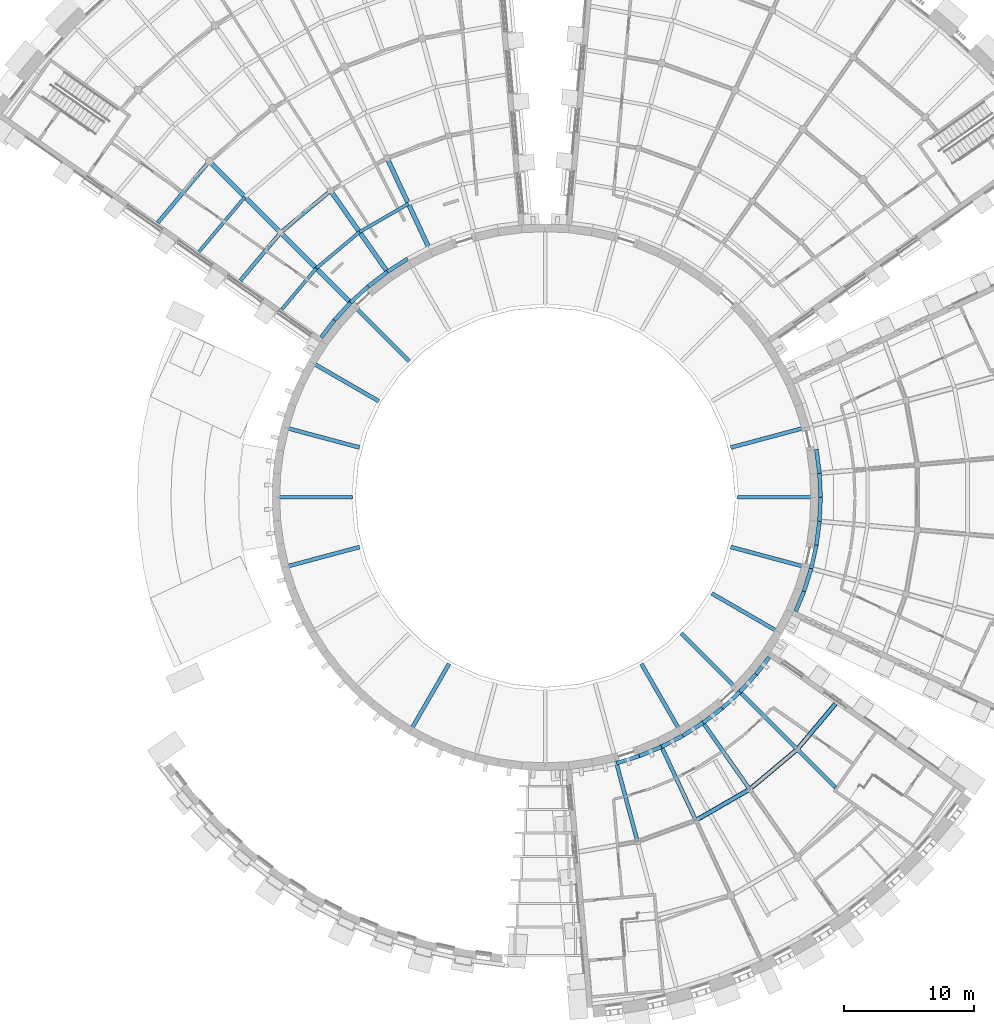
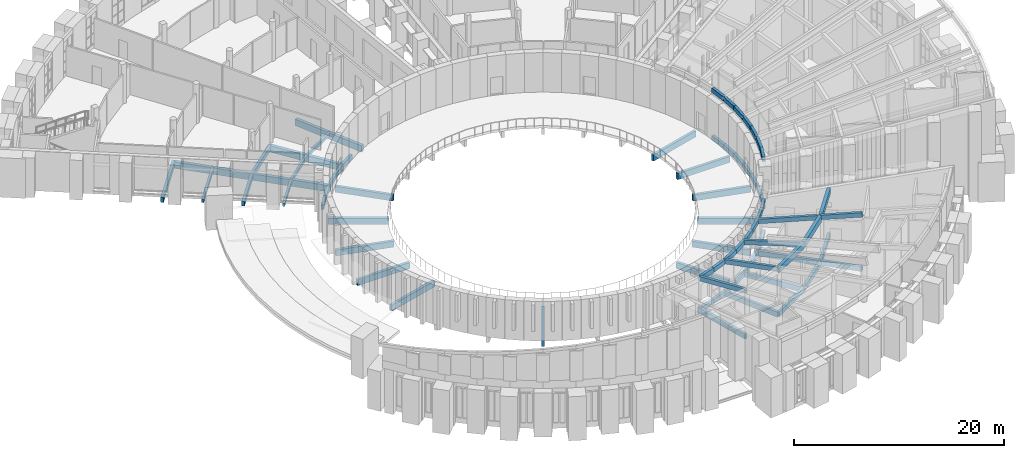
# One storey, part 4 of 50: 74 beams.
"""IFC4 building model written with IfcOpenShell, lengths in metres."""

from ifc_helpers import new_model, si_unit, direction, frame, origin, origin_2d, place, context, subcontext, project, spatial, rectangle, extrude, material, material_profile, profile_set, type_object, element, save


model = new_model("IFC4")

# Units and contexts
model_context = context("Model", 3, precision=1e-05, world=origin(), true_north=direction((0.0, 1.0)))
body_context = subcontext(model_context, "Body", "Model", "MODEL_VIEW")
ifc_project = project(units=[si_unit("LENGTHUNIT", "METRE"), si_unit("AREAUNIT", "SQUARE_METRE"), si_unit("VOLUMEUNIT", "CUBIC_METRE"), si_unit("PLANEANGLEUNIT", "RADIAN"), si_unit("MASSUNIT", "GRAM", prefix="KILO")], contexts=[model_context])

# Site, building, storey
site_placement = place(None, origin())
site = spatial("IfcSite", under=ifc_project, at=site_placement, CompositionType="ELEMENT")
building_placement = place(site_placement, origin())
building = spatial("IfcBuilding", under=site, at=building_placement, Name="Volute Hill Aquarium", CompositionType="ELEMENT")
storey_placement = place(building_placement, frame((0.0, 0.0, 9.199951171875)))
storey = spatial("IfcBuildingStorey", under=building, at=storey_placement, Name="L03", CompositionType="ELEMENT", Elevation=9.199951171875)

# Beams
ifc_material_1 = material(Name="Concrete C35/45", Category="concrete")
ifc_material_profile_1 = material_profile(ifc_material_1, rectangle(XDim=0.300048828125, YDim=0.550048828125, at=origin_2d()), Name="RC beam 300x550")
ifc_profile_set_1 = profile_set([ifc_material_profile_1], Name="Concrete C35/45")
beam_type_1 = type_object("IfcBeamType", Name="Beam 300x550 C35/45", PredefinedType="BEAM", material=ifc_profile_set_1)
beam_1_placement = place(storey_placement, frame((19.36279296875, -19.36279296875, -0.544921875), z_axis=(0.707106781187, -0.707106781187, 0.0), x_axis=(0.707106781187, 0.707106781187, 0.0)))
element("IfcBeam", 1, at=beam_1_placement, inside=storey, type_object=beam_type_1, Name="bm/S3/L03/rad4.11", PredefinedType="BEAM", context=body_context, shape_type="SweptSolid", body=[
    extrude(rectangle(XDim=0.300048828125, YDim=0.550048828125, at=origin_2d()), origin(), (0.0, 0.0, 1.0), 4.1455078125),
])
beam_2_placement = place(storey_placement, frame((11.57275390625, -24.817626953125, -0.544921875), z_axis=(0.86602800421, 0.499995495904, 0.0), x_axis=(-0.499995495904, 0.86602800421, 0.0)))
element("IfcBeam", 2, at=beam_2_placement, inside=storey, type_object=beam_type_1, Name="bm/S3/L03/ring1.15", PredefinedType="BEAM", context=body_context, shape_type="SweptSolid", body=[
    extrude(rectangle(XDim=0.300048828125, YDim=0.550048828125, at=origin_2d()), origin(), (0.0, 0.0, 1.0), 4.77294921875),
])
beam_3_placement = place(storey_placement, frame((15.706298828125, -22.43115234375, -0.544921875), z_axis=(0.766024173382, 0.642811765445, 0.0), x_axis=(-0.642811765445, 0.766024173382, 0.0)))
element("IfcBeam", 3, at=beam_3_placement, inside=storey, type_object=beam_type_1, Name="bm/S3/L03/ring1.16", PredefinedType="BEAM", context=body_context, shape_type="SweptSolid", body=[
    extrude(rectangle(XDim=0.300048828125, YDim=0.550048828125, at=origin_2d()), origin(), (0.0, 0.0, 1.0), 4.7734375),
])
beam_4_placement = place(storey_placement, frame((19.36279296875, -19.36279296875, -0.544921875), z_axis=(0.642801320395, 0.76603293826, 0.0), x_axis=(-0.76603293826, 0.642801320395, 0.0)))
element("IfcBeam", 4, at=beam_4_placement, inside=storey, type_object=beam_type_1, Name="bm/S3/L03/ring1.17", PredefinedType="BEAM", context=body_context, shape_type="SweptSolid", body=[
    extrude(rectangle(XDim=0.300048828125, YDim=0.550048828125, at=origin_2d()), origin(), (0.0, 0.0, 1.0), 4.572509765625),
])
beam_5_placement = place(storey_placement, frame((-16.490234375, 23.550537109375, -0.594970703125), z_axis=(-0.766064633548, -0.642763546902, 0.0), x_axis=(0.642763546902, -0.766064633548, 0.0)))
element("IfcBeam", 5, at=beam_5_placement, inside=storey, type_object=beam_type_1, Name="bm/S6/L03/ring1.20", PredefinedType="BEAM", context=body_context, shape_type="SweptSolid", body=[
    extrude(rectangle(XDim=0.300048828125, YDim=0.550048828125, at=origin_2d()), origin(), (0.0, 0.0, 1.0), 5.011474609375),
])
beam_6_placement = place(storey_placement, frame((-20.329345703125, 20.329345703125, -0.594970703125), z_axis=(-0.642751605204, -0.766074653025, 0.0), x_axis=(0.766074653025, -0.642751605204, 0.0)))
element("IfcBeam", 6, at=beam_6_placement, inside=storey, type_object=beam_type_1, Name="bm/S6/L03/ring1.21", PredefinedType="BEAM", context=body_context, shape_type="SweptSolid", body=[
    extrude(rectangle(XDim=0.300048828125, YDim=0.550048828125, at=origin_2d()), origin(), (0.0, 0.0, 1.0), 4.810546875),
])
ifc_material_2 = material(Name="Concrete C35/45", Category="concrete")
ifc_material_profile_2 = material_profile(ifc_material_2, rectangle(XDim=0.300048828125, YDim=0.60009765625, at=origin_2d()), Name="RC beam 300x600")
ifc_profile_set_2 = profile_set([ifc_material_profile_2], Name="Concrete C35/45")
beam_type_2 = type_object("IfcBeamType", Name="Beam 300x600 C35/45", PredefinedType="BEAM", material=ifc_profile_set_2)
for number, where, z_axis, x_axis, name in (
    (7, (5.435302734375, -20.284423828125, -0.570068359375), (0.258817016244, -0.965926369918, 0.0), (0.965926369918, 0.258817016244, 0.0), "bm/S3/L03/rad1.1"),
    (8, (8.875, -19.032470703125, -0.570068359375), (0.422630002843, -0.906302311978, 0.0), (0.906302311978, 0.422630002843, 0.0), "bm/S3/L03/rad2.4"),
    (9, (12.045166015625, -17.2021484375, -0.570068359375), (0.573549615778, -0.819170823602, 0.0), (0.819170823602, 0.573549615778, 0.0), "bm/S3/L03/rad3.7"),
    (10, (14.84912109375, -14.84912109375, -0.570068359375), (0.707106781187, -0.707106781187, 0.0), (0.707106781187, 0.707106781187, 0.0), "bm/S3/L03/rad4.10"),
):
    element("IfcBeam", number, at=place(storey_placement, frame(where, z_axis=z_axis, x_axis=x_axis)), inside=storey, type_object=beam_type_2, Name=name, PredefinedType="BEAM", context=body_context, shape_type="SweptSolid", body=[
        extrude(rectangle(XDim=0.300048828125, YDim=0.60009765625, at=origin_2d()), origin(), (0.0, 0.0, 1.0), 6.38330078125),
    ])
beam_7_placement = place(storey_placement, frame((-25.809326171875, 25.809326171875, -0.619873046875), z_axis=(-0.642803579535, -0.766031042541, 0.0), x_axis=(0.766031042541, -0.642803579535, 0.0)))
element("IfcBeam", 11, at=beam_7_placement, inside=storey, type_object=beam_type_2, Name="bm/S6/L03/ring2.26", PredefinedType="BEAM", context=body_context, shape_type="SweptSolid", body=[
    extrude(rectangle(XDim=0.300048828125, YDim=0.60009765625, at=origin_2d()), origin(), (0.0, 0.0, 1.0), 6.16162109375),
])
ifc_material_3 = material(Name="Concrete C35/45", Category="concrete")
ifc_material_profile_3 = material_profile(ifc_material_3, rectangle(XDim=0.35009765625, YDim=0.699951171875, at=origin_2d()), Name="RC beam 350x700")
ifc_profile_set_3 = profile_set([ifc_material_profile_3], Name="Concrete C35/45")
beam_type_3 = type_object("IfcBeamType", Name="Beam 350x700 C35/45", PredefinedType="BEAM", material=ifc_profile_set_3)
beam_8_placement = place(storey_placement, frame((11.57275390625, -24.817626953125, 4.6328125), z_axis=(0.86602800421, 0.499995495904, 0.0), x_axis=(-0.499995495904, 0.86602800421, 0.0)))
element("IfcBeam", 12, at=beam_8_placement, inside=storey, type_object=beam_type_3, Name="rb/S3/L03/ring1.15", PredefinedType="BEAM", context=body_context, shape_type="SweptSolid", body=[
    extrude(rectangle(XDim=0.35009765625, YDim=0.699951171875, at=origin_2d()), origin(), (0.0, 0.0, 1.0), 4.77294921875),
])
beam_9_placement = place(storey_placement, frame((15.706298828125, -22.43115234375, 4.6328125), z_axis=(0.766024173382, 0.642811765445, 0.0), x_axis=(-0.642811765445, 0.766024173382, 0.0)))
element("IfcBeam", 13, at=beam_9_placement, inside=storey, type_object=beam_type_3, Name="rb/S3/L03/ring1.16", PredefinedType="BEAM", context=body_context, shape_type="SweptSolid", body=[
    extrude(rectangle(XDim=0.35009765625, YDim=0.699951171875, at=origin_2d()), origin(), (0.0, 0.0, 1.0), 4.7734375),
])
beam_10_placement = place(storey_placement, frame((19.36279296875, -19.36279296875, 4.6328125), z_axis=(0.642801320395, 0.76603293826, 0.0), x_axis=(-0.76603293826, 0.642801320395, 0.0)))
element("IfcBeam", 14, at=beam_10_placement, inside=storey, type_object=beam_type_3, Name="rb/S3/L03/ring1.17", PredefinedType="BEAM", context=body_context, shape_type="SweptSolid", body=[
    extrude(rectangle(XDim=0.35009765625, YDim=0.699951171875, at=origin_2d()), origin(), (0.0, 0.0, 1.0), 4.572509765625),
])
ifc_material_4 = material(Name="Concrete C35/45", Category="concrete")
ifc_material_profile_4 = material_profile(ifc_material_4, rectangle(XDim=0.35009765625, YDim=0.75, at=origin_2d()), Name="RC beam 350x750")
ifc_profile_set_4 = profile_set([ifc_material_profile_4], Name="Concrete C35/45")
beam_type_4 = type_object("IfcBeamType", Name="Beam 350x750 C35/45", PredefinedType="BEAM", material=ifc_profile_set_4)
for number, where, z_axis, x_axis, name in (
    (15, (-8.875, 19.032470703125, -0.695068359375), (-0.422626766283, 0.906303821255, 0.0), (-0.906303821255, -0.422626766283, 0.0), "bm/S6/L03/rad2.5"),
    (16, (-12.045166015625, 17.2021484375, -0.695068359375), (-0.573565938589, 0.819159394801, 0.0), (-0.819159394801, -0.573565938589, 0.0), "bm/S6/L03/rad3.9"),
):
    element("IfcBeam", number, at=place(storey_placement, frame(where, z_axis=z_axis, x_axis=x_axis)), inside=storey, type_object=beam_type_4, Name=name, PredefinedType="BEAM", context=body_context, shape_type="SweptSolid", body=[
        extrude(rectangle(XDim=0.35009765625, YDim=0.75, at=origin_2d()), origin(), (0.0, 0.0, 1.0), 7.75),
    ])
beam_11_placement = place(storey_placement, frame((-14.84912109375, 14.84912109375, -0.695068359375), z_axis=(-0.707106781187, 0.707106781187, 0.0), x_axis=(-0.707106781187, -0.707106781187, 0.0)))
element("IfcBeam", 17, at=beam_11_placement, inside=storey, type_object=beam_type_4, Name="bm/S6/L03/rad4.13", PredefinedType="BEAM", context=body_context, shape_type="SweptSolid", body=[
    extrude(rectangle(XDim=0.35009765625, YDim=0.75, at=origin_2d()), origin(), (0.0, 0.0, 1.0), 7.750244140625),
])
beam_12_placement = place(storey_placement, frame((-20.329345703125, 20.329345703125, -0.695068359375), z_axis=(-0.707106781187, 0.707106781187, 0.0), x_axis=(-0.707106781187, -0.707106781187, 0.0)))
element("IfcBeam", 18, at=beam_12_placement, inside=storey, type_object=beam_type_4, Name="bm/S6/L03/rad4.14", PredefinedType="BEAM", context=body_context, shape_type="SweptSolid", body=[
    extrude(rectangle(XDim=0.35009765625, YDim=0.75, at=origin_2d()), origin(), (0.0, 0.0, 1.0), 7.749755859375),
])
ifc_material_5 = material(Name="Concrete C35/45", Category="concrete")
ifc_material_profile_5 = material_profile(ifc_material_5, rectangle(XDim=0.300048828125, YDim=0.5, at=origin_2d()), Name="RC edge beam 300x500")
ifc_profile_set_5 = profile_set([ifc_material_profile_5], Name="Concrete C35/45")
beam_type_5 = type_object("IfcBeamType", Name="Edge beam 300x500 C35/45", PredefinedType="BEAM", material=ifc_profile_set_5)
beam_13_placement = place(storey_placement, frame((5.47412109375, -20.429443359375, -0.52001953125), z_axis=(0.953704567191, 0.300745072312, 0.0), x_axis=(-0.300745072312, 0.953704567191, 0.0)))
element("IfcBeam", 19, at=beam_13_placement, inside=storey, type_object=beam_type_5, Name="bm/S3/L03/edgeD.23", PredefinedType="BEAM", context=body_context, shape_type="SweptSolid", body=[
    extrude(rectangle(XDim=0.300048828125, YDim=0.5, at=origin_2d()), origin(), (0.0, 0.0, 1.0), 1.84521484375),
])
beam_14_placement = place(storey_placement, frame((7.23388671875, -19.87451171875, -0.52001953125), z_axis=(0.923881361379, 0.382679017059, 0.0), x_axis=(-0.382679017059, 0.923881361379, 0.0)))
element("IfcBeam", 20, at=beam_14_placement, inside=storey, type_object=beam_type_5, Name="bm/S3/L03/edgeD.24", PredefinedType="BEAM", context=body_context, shape_type="SweptSolid", body=[
    extrude(rectangle(XDim=0.300048828125, YDim=0.5, at=origin_2d()), origin(), (0.0, 0.0, 1.0), 1.844970703125),
])
beam_15_placement = place(storey_placement, frame((8.9384765625, -19.16845703125, -0.52001953125), z_axis=(0.887058600994, 0.461656840523, 0.0), x_axis=(-0.461656840523, 0.887058600994, 0.0)))
element("IfcBeam", 21, at=beam_15_placement, inside=storey, type_object=beam_type_5, Name="bm/S3/L03/edgeD.25", PredefinedType="BEAM", context=body_context, shape_type="SweptSolid", body=[
    extrude(rectangle(XDim=0.300048828125, YDim=0.5, at=origin_2d()), origin(), (0.0, 0.0, 1.0), 1.84521484375),
])
beam_16_placement = place(storey_placement, frame((10.5751953125, -18.316650390625, -0.52001953125), z_axis=(0.843334400185, 0.537389141558, 0.0), x_axis=(-0.537389141558, 0.843334400185, 0.0)))
element("IfcBeam", 22, at=beam_16_placement, inside=storey, type_object=beam_type_5, Name="bm/S3/L03/edgeD.26", PredefinedType="BEAM", context=body_context, shape_type="SweptSolid", body=[
    extrude(rectangle(XDim=0.300048828125, YDim=0.5, at=origin_2d()), origin(), (0.0, 0.0, 1.0), 1.844970703125),
])
for number, where, z_axis, x_axis, name in (
    (23, (12.131103515625, -17.3251953125, -0.52001953125), (0.79334647843, 0.608770371457, 0.0), (-0.608770371457, 0.79334647843, 0.0), "bm/S3/L03/edgeD.27"),
    (24, (13.594970703125, -16.201904296875, -0.52001953125), (0.73726397759, 0.675604786356, 0.0), (-0.675604786356, 0.73726397759, 0.0), "bm/S3/L03/edgeD.28"),
    (25, (14.955322265625, -14.955322265625, -0.52001953125), (0.675604786356, 0.73726397759, 0.0), (-0.73726397759, 0.675604786356, 0.0), "bm/S3/L03/edgeD.29"),
):
    element("IfcBeam", number, at=place(storey_placement, frame(where, z_axis=z_axis, x_axis=x_axis)), inside=storey, type_object=beam_type_5, Name=name, PredefinedType="BEAM", context=body_context, shape_type="SweptSolid", body=[
        extrude(rectangle(XDim=0.300048828125, YDim=0.5, at=origin_2d()), origin(), (0.0, 0.0, 1.0), 1.84521484375),
    ])
beam_17_placement = place(storey_placement, frame((16.201904296875, -13.594970703125, -0.52001953125), z_axis=(0.608820957391, 0.793307659009, 0.0), x_axis=(-0.793307659009, 0.608820957391, 0.0)))
element("IfcBeam", 26, at=beam_17_placement, inside=storey, type_object=beam_type_5, Name="bm/S3/L03/edgeD.30", PredefinedType="BEAM", context=body_context, shape_type="SweptSolid", body=[
    extrude(rectangle(XDim=0.300048828125, YDim=0.5, at=origin_2d()), origin(), (0.0, 0.0, 1.0), 1.64501953125),
])
for number, where, z_axis, x_axis, name in (
    (27, (5.47412109375, -20.429443359375, 3.13037109375), (0.953642831435, 0.300725604308, 0.011378091496), (-0.300745072312, 0.953704567191, 0.0), "rb/S3/L03/edgeD.23"),
    (28, (7.23388671875, -19.87451171875, 3.1513671875), (0.92382154589, 0.382654241007, -0.011379068024), (-0.382679017059, 0.923881361379, 0.0), "rb/S3/L03/edgeD.24"),
    (29, (8.9384765625, -19.16845703125, 3.13037109375), (0.887001174322, 0.461626953641, 0.011378595017), (-0.461656840523, 0.887058600994, 0.0), "rb/S3/L03/edgeD.25"),
):
    element("IfcBeam", number, at=place(storey_placement, frame(where, z_axis=z_axis, x_axis=x_axis)), inside=storey, type_object=beam_type_5, Name=name, PredefinedType="BEAM", context=body_context, shape_type="SweptSolid", body=[
        extrude(rectangle(XDim=0.300048828125, YDim=0.5, at=origin_2d()), origin(), (0.0, 0.0, 1.0), 1.84521484375),
    ])
beam_18_placement = place(storey_placement, frame((10.5751953125, -18.316650390625, 3.1513671875), z_axis=(0.843279794692, 0.537354345872, -0.011379579844), x_axis=(-0.537389141558, 0.843334400185, 0.0)))
element("IfcBeam", 30, at=beam_18_placement, inside=storey, type_object=beam_type_5, Name="rb/S3/L03/edgeD.26", PredefinedType="BEAM", context=body_context, shape_type="SweptSolid", body=[
    extrude(rectangle(XDim=0.300048828125, YDim=0.5, at=origin_2d()), origin(), (0.0, 0.0, 1.0), 1.844970703125),
])
for number, where, z_axis, x_axis, name in (
    (31, (12.131103515625, -17.3251953125, 3.13037109375), (0.793295122549, 0.608730963784, 0.011378148856), (-0.608770371457, 0.79334647843, 0.0), "rb/S3/L03/edgeD.27"),
    (32, (13.594970703125, -16.201904296875, 3.1513671875), (0.737216249774, 0.675561050134, -0.011378427401), (-0.675604786356, 0.73726397759, 0.0), "rb/S3/L03/edgeD.28"),
    (33, (14.955322265625, -14.955322265625, 3.13037109375), (0.675561050134, 0.737216249774, 0.011378427401), (-0.73726397759, 0.675604786356, 0.0), "rb/S3/L03/edgeD.29"),
):
    element("IfcBeam", number, at=place(storey_placement, frame(where, z_axis=z_axis, x_axis=x_axis)), inside=storey, type_object=beam_type_5, Name=name, PredefinedType="BEAM", context=body_context, shape_type="SweptSolid", body=[
        extrude(rectangle(XDim=0.300048828125, YDim=0.5, at=origin_2d()), origin(), (0.0, 0.0, 1.0), 1.84521484375),
    ])
beam_19_placement = place(storey_placement, frame((16.201904296875, -13.594970703125, 3.1513671875), z_axis=(0.608782228664, 0.793257194591, -0.011279241682), x_axis=(-0.793307659009, 0.608820957391, 0.0)))
element("IfcBeam", 34, at=beam_19_placement, inside=storey, type_object=beam_type_5, Name="rb/S3/L03/edgeD.30", PredefinedType="BEAM", context=body_context, shape_type="SweptSolid", body=[
    extrude(rectangle(XDim=0.300048828125, YDim=0.5, at=origin_2d()), origin(), (0.0, 0.0, 1.0), 1.64501953125),
])
beam_20_placement = place(storey_placement, frame((19.2451171875, -8.75341796875, -0.489990234375), z_axis=(0.382675169935, 0.923882954879, 0.0), x_axis=(-0.923882954879, 0.382675169935, 0.0)))
element("IfcBeam", 35, at=beam_20_placement, inside=storey, type_object=beam_type_5, Name="bm/S4/L03/edgeD.19", PredefinedType="BEAM", context=body_context, shape_type="SweptSolid", body=[
    extrude(rectangle(XDim=0.300048828125, YDim=0.5, at=origin_2d()), origin(), (0.0, 0.0, 1.0), 1.644775390625),
])
for number, where, z_axis, x_axis, name in (
    (36, (19.87451171875, -7.23388671875, -0.489990234375), (0.300745072312, 0.953704567191, 0.0), (-0.953704567191, 0.300745072312, 0.0), "bm/S4/L03/edgeD.20"),
    (37, (20.429443359375, -5.47412109375, -0.489990234375), (0.216454127071, 0.976292789523, 0.0), (-0.976292789523, 0.216454127071, 0.0), "bm/S4/L03/edgeD.21"),
):
    element("IfcBeam", number, at=place(storey_placement, frame(where, z_axis=z_axis, x_axis=x_axis)), inside=storey, type_object=beam_type_5, Name=name, PredefinedType="BEAM", context=body_context, shape_type="SweptSolid", body=[
        extrude(rectangle(XDim=0.300048828125, YDim=0.5, at=origin_2d()), origin(), (0.0, 0.0, 1.0), 1.84521484375),
    ])
beam_21_placement = place(storey_placement, frame((20.828857421875, -3.672607421875, -0.489990234375), z_axis=(0.130481898303, 0.991450691772, 0.0), x_axis=(-0.991450691772, 0.130481898303, 0.0)))
element("IfcBeam", 38, at=beam_21_placement, inside=storey, type_object=beam_type_5, Name="bm/S4/L03/edgeD.22", PredefinedType="BEAM", context=body_context, shape_type="SweptSolid", body=[
    extrude(rectangle(XDim=0.300048828125, YDim=0.5, at=origin_2d()), origin(), (0.0, 0.0, 1.0), 1.844970703125),
])
for number, where, z_axis, x_axis, name in (
    (39, (21.069580078125, -1.843505859375, -0.489990234375), (0.043661145699, 0.999046397499, 0.0), (-0.999046397499, 0.043661145699, 0.0), "bm/S4/L03/edgeD.23"),
    (40, (21.150146484375, 0.0, -0.489990234375), (-0.043661145699, 0.999046397499, 0.0), (-0.999046397499, -0.043661145699, 0.0), "bm/S4/L03/edgeD.24"),
):
    element("IfcBeam", number, at=place(storey_placement, frame(where, z_axis=z_axis, x_axis=x_axis)), inside=storey, type_object=beam_type_5, Name=name, PredefinedType="BEAM", context=body_context, shape_type="SweptSolid", body=[
        extrude(rectangle(XDim=0.300048828125, YDim=0.5, at=origin_2d()), origin(), (0.0, 0.0, 1.0), 1.84521484375),
    ])
beam_22_placement = place(storey_placement, frame((21.069580078125, 1.843505859375, -0.489990234375), z_axis=(-0.130481898303, 0.991450691772, 0.0), x_axis=(-0.991450691772, -0.130481898303, 0.0)))
element("IfcBeam", 41, at=beam_22_placement, inside=storey, type_object=beam_type_5, Name="bm/S4/L03/edgeD.25", PredefinedType="BEAM", context=body_context, shape_type="SweptSolid", body=[
    extrude(rectangle(XDim=0.300048828125, YDim=0.5, at=origin_2d()), origin(), (0.0, 0.0, 1.0), 1.844970703125),
])
beam_23_placement = place(storey_placement, frame((19.2451171875, -8.75341796875, 5.03271484375), z_axis=(0.382650820956, 0.923824169755, 0.011280629322), x_axis=(-0.923882954879, 0.382675169935, 0.0)))
element("IfcBeam", 42, at=beam_23_placement, inside=storey, type_object=beam_type_5, Name="rb/S4/L03/edgeD.19", PredefinedType="BEAM", context=body_context, shape_type="SweptSolid", body=[
    extrude(rectangle(XDim=0.300048828125, YDim=0.5, at=origin_2d()), origin(), (0.0, 0.0, 1.0), 1.644775390625),
])
beam_24_placement = place(storey_placement, frame((19.87451171875, -7.23388671875, 5.05126953125), z_axis=(0.300726054377, 0.953644258668, -0.011245804937), x_axis=(-0.953704567191, 0.300745072312, 0.0)))
element("IfcBeam", 43, at=beam_24_placement, inside=storey, type_object=beam_type_5, Name="rb/S4/L03/edgeD.20", PredefinedType="BEAM", context=body_context, shape_type="SweptSolid", body=[
    extrude(rectangle(XDim=0.300048828125, YDim=0.5, at=origin_2d()), origin(), (0.0, 0.0, 1.0), 1.84521484375),
])
beam_25_placement = place(storey_placement, frame((20.429443359375, -5.47412109375, 5.030517578125), z_axis=(0.216440440405, 0.976231057304, 0.011245377405), x_axis=(-0.976292789523, 0.216454127071, 0.0)))
element("IfcBeam", 44, at=beam_25_placement, inside=storey, type_object=beam_type_5, Name="rb/S4/L03/edgeD.21", PredefinedType="BEAM", context=body_context, shape_type="SweptSolid", body=[
    extrude(rectangle(XDim=0.300048828125, YDim=0.5, at=origin_2d()), origin(), (0.0, 0.0, 1.0), 1.845458984375),
])
beam_26_placement = place(storey_placement, frame((20.828857421875, -3.672607421875, 5.05126953125), z_axis=(0.130473644319, 0.991387974889, -0.011247727959), x_axis=(-0.991450691772, 0.130481898303, 0.0)))
element("IfcBeam", 45, at=beam_26_placement, inside=storey, type_object=beam_type_5, Name="rb/S4/L03/edgeD.22", PredefinedType="BEAM", context=body_context, shape_type="SweptSolid", body=[
    extrude(rectangle(XDim=0.300048828125, YDim=0.5, at=origin_2d()), origin(), (0.0, 0.0, 1.0), 1.844970703125),
])
for number, where, z_axis, x_axis, name in (
    (46, (21.069580078125, -1.843505859375, 5.030517578125), (0.043658384968, 0.998983226944, 0.011245341583), (-0.999046397499, 0.043661145699, 0.0), "rb/S4/L03/edgeD.23"),
    (47, (21.150146484375, 0.0, 5.05126953125), (-0.043658384968, 0.998983226944, -0.011245341583), (-0.999046397499, -0.043661145699, 0.0), "rb/S4/L03/edgeD.24"),
):
    element("IfcBeam", number, at=place(storey_placement, frame(where, z_axis=z_axis, x_axis=x_axis)), inside=storey, type_object=beam_type_5, Name=name, PredefinedType="BEAM", context=body_context, shape_type="SweptSolid", body=[
        extrude(rectangle(XDim=0.300048828125, YDim=0.5, at=origin_2d()), origin(), (0.0, 0.0, 1.0), 1.845458984375),
    ])
for number, where, z_axis, x_axis, name in (
    (48, (21.069580078125, 1.843505859375, 5.030517578125), (-0.130473644319, 0.991387974889, 0.011247727959), (-0.991450691772, -0.130481898303, 0.0), "rb/S4/L03/edgeD.25"),
    (49, (-10.5751953125, 18.316650390625, -0.570068359375), (-0.843334400185, -0.537389141558, 0.0), (0.537389141558, -0.843334400185, 0.0), "bm/S6/L03/edgeD.37"),
):
    element("IfcBeam", number, at=place(storey_placement, frame(where, z_axis=z_axis, x_axis=x_axis)), inside=storey, type_object=beam_type_5, Name=name, PredefinedType="BEAM", context=body_context, shape_type="SweptSolid", body=[
        extrude(rectangle(XDim=0.300048828125, YDim=0.5, at=origin_2d()), origin(), (0.0, 0.0, 1.0), 1.844970703125),
    ])
for number, where, z_axis, x_axis, name in (
    (50, (-12.131103515625, 17.3251953125, -0.570068359375), (-0.79334647843, -0.608770371457, 0.0), (0.608770371457, -0.79334647843, 0.0), "bm/S6/L03/edgeD.38"),
    (51, (-13.594970703125, 16.201904296875, -0.570068359375), (-0.73726397759, -0.675604786356, 0.0), (0.675604786356, -0.73726397759, 0.0), "bm/S6/L03/edgeD.39"),
    (52, (-14.955322265625, 14.955322265625, -0.570068359375), (-0.675604786356, -0.73726397759, 0.0), (0.73726397759, -0.675604786356, 0.0), "bm/S6/L03/edgeD.40"),
):
    element("IfcBeam", number, at=place(storey_placement, frame(where, z_axis=z_axis, x_axis=x_axis)), inside=storey, type_object=beam_type_5, Name=name, PredefinedType="BEAM", context=body_context, shape_type="SweptSolid", body=[
        extrude(rectangle(XDim=0.300048828125, YDim=0.5, at=origin_2d()), origin(), (0.0, 0.0, 1.0), 1.84521484375),
    ])
beam_27_placement = place(storey_placement, frame((-16.201904296875, 13.594970703125, -0.570068359375), z_axis=(-0.608820957391, -0.793307659009, 0.0), x_axis=(0.793307659009, -0.608820957391, 0.0)))
element("IfcBeam", 53, at=beam_27_placement, inside=storey, type_object=beam_type_5, Name="bm/S6/L03/edgeD.41", PredefinedType="BEAM", context=body_context, shape_type="SweptSolid", body=[
    extrude(rectangle(XDim=0.300048828125, YDim=0.5, at=origin_2d()), origin(), (0.0, 0.0, 1.0), 1.64501953125),
])
ifc_material_6 = material(Name="Concrete C35/45", Category="concrete")
ifc_material_profile_6 = material_profile(ifc_material_6, rectangle(XDim=0.300048828125, YDim=0.699951171875, at=origin_2d()), Name="RC beam 300x700")
ifc_profile_set_6 = profile_set([ifc_material_profile_6], Name="Concrete C35/45")
beam_type_6 = type_object("IfcBeamType", Name="Gallery beam RC 300x700", PredefinedType="BEAM", material=ifc_profile_set_6)
beam_28_placement = place(storey_placement, frame((14.75, 0.0, -0.64990234375), z_axis=(1.0, 0.0, 0.0), x_axis=(0.0, 1.0, 0.0)))
element("IfcBeam", 54, at=beam_28_placement, inside=storey, type_object=beam_type_6, Name="bm/DR/L03/0", PredefinedType="BEAM", context=body_context, shape_type="SweptSolid", body=[
    extrude(rectangle(XDim=0.300048828125, YDim=0.699951171875, at=origin_2d()), origin(), (0.0, 0.0, 1.0), 5.75),
])
beam_29_placement = place(storey_placement, frame((14.247314453125, 3.817626953125, -0.64990234375), z_axis=(0.965924171756, 0.258825219825, 0.0), x_axis=(-0.258825219825, 0.965924171756, 0.0)))
element("IfcBeam", 55, at=beam_29_placement, inside=storey, type_object=beam_type_6, Name="bm/DR/L03/1", PredefinedType="BEAM", context=body_context, shape_type="SweptSolid", body=[
    extrude(rectangle(XDim=0.300048828125, YDim=0.699951171875, at=origin_2d()), origin(), (0.0, 0.0, 1.0), 5.750244140625),
])
beam_30_placement = place(storey_placement, frame((-10.4296875, 10.4296875, -0.64990234375), z_axis=(-0.707106781187, 0.707106781187, 0.0), x_axis=(-0.707106781187, -0.707106781187, 0.0)))
element("IfcBeam", 56, at=beam_30_placement, inside=storey, type_object=beam_type_6, Name="bm/DR/L03/9", PredefinedType="BEAM", context=body_context, shape_type="SweptSolid", body=[
    extrude(rectangle(XDim=0.300048828125, YDim=0.699951171875, at=origin_2d()), origin(), (0.0, 0.0, 1.0), 5.75),
])
beam_31_placement = place(storey_placement, frame((-12.77392578125, 7.375, -0.64990234375), z_axis=(-0.866018712932, 0.500011588718, 0.0), x_axis=(-0.500011588718, -0.866018712932, 0.0)))
element("IfcBeam", 57, at=beam_31_placement, inside=storey, type_object=beam_type_6, Name="bm/DR/L03/10", PredefinedType="BEAM", context=body_context, shape_type="SweptSolid", body=[
    extrude(rectangle(XDim=0.300048828125, YDim=0.699951171875, at=origin_2d()), origin(), (0.0, 0.0, 1.0), 5.749755859375),
])
beam_32_placement = place(storey_placement, frame((-14.247314453125, 3.817626953125, -0.64990234375), z_axis=(-0.965924171756, 0.258825219825, 0.0), x_axis=(-0.258825219825, -0.965924171756, 0.0)))
element("IfcBeam", 58, at=beam_32_placement, inside=storey, type_object=beam_type_6, Name="bm/DR/L03/11", PredefinedType="BEAM", context=body_context, shape_type="SweptSolid", body=[
    extrude(rectangle(XDim=0.300048828125, YDim=0.699951171875, at=origin_2d()), origin(), (0.0, 0.0, 1.0), 5.750244140625),
])
beam_33_placement = place(storey_placement, frame((-14.75, 0.0, -0.64990234375), z_axis=(-1.0, 0.0, 0.0), x_axis=(0.0, -1.0, 0.0)))
element("IfcBeam", 59, at=beam_33_placement, inside=storey, type_object=beam_type_6, Name="bm/DR/L03/12", PredefinedType="BEAM", context=body_context, shape_type="SweptSolid", body=[
    extrude(rectangle(XDim=0.300048828125, YDim=0.699951171875, at=origin_2d()), origin(), (0.0, 0.0, 1.0), 5.75),
])
beam_34_placement = place(storey_placement, frame((-14.247314453125, -3.817626953125, -0.64990234375), z_axis=(-0.965924171756, -0.258825219825, 0.0), x_axis=(0.258825219825, -0.965924171756, 0.0)))
element("IfcBeam", 60, at=beam_34_placement, inside=storey, type_object=beam_type_6, Name="bm/DR/L03/13", PredefinedType="BEAM", context=body_context, shape_type="SweptSolid", body=[
    extrude(rectangle(XDim=0.300048828125, YDim=0.699951171875, at=origin_2d()), origin(), (0.0, 0.0, 1.0), 5.750244140625),
])
for number, where, z_axis, x_axis, name in (
    (61, (-7.375, -12.77392578125, -0.64990234375), (-0.500011588718, -0.866018712932, 0.0), (0.866018712932, -0.500011588718, 0.0), "bm/DR/L03/16"),
    (62, (7.375, -12.77392578125, -0.64990234375), (0.500011588718, -0.866018712932, 0.0), (0.866018712932, 0.500011588718, 0.0), "bm/DR/L03/20"),
):
    element("IfcBeam", number, at=place(storey_placement, frame(where, z_axis=z_axis, x_axis=x_axis)), inside=storey, type_object=beam_type_6, Name=name, PredefinedType="BEAM", context=body_context, shape_type="SweptSolid", body=[
        extrude(rectangle(XDim=0.300048828125, YDim=0.699951171875, at=origin_2d()), origin(), (0.0, 0.0, 1.0), 5.749755859375),
    ])
beam_35_placement = place(storey_placement, frame((10.4296875, -10.4296875, -0.64990234375), z_axis=(0.707106781187, -0.707106781187, 0.0), x_axis=(0.707106781187, 0.707106781187, 0.0)))
element("IfcBeam", 63, at=beam_35_placement, inside=storey, type_object=beam_type_6, Name="bm/DR/L03/21", PredefinedType="BEAM", context=body_context, shape_type="SweptSolid", body=[
    extrude(rectangle(XDim=0.300048828125, YDim=0.699951171875, at=origin_2d()), origin(), (0.0, 0.0, 1.0), 5.75),
])
beam_36_placement = place(storey_placement, frame((12.77392578125, -7.375, -0.64990234375), z_axis=(0.866018712932, -0.500011588718, 0.0), x_axis=(0.500011588718, 0.866018712932, 0.0)))
element("IfcBeam", 64, at=beam_36_placement, inside=storey, type_object=beam_type_6, Name="bm/DR/L03/22", PredefinedType="BEAM", context=body_context, shape_type="SweptSolid", body=[
    extrude(rectangle(XDim=0.300048828125, YDim=0.699951171875, at=origin_2d()), origin(), (0.0, 0.0, 1.0), 5.749755859375),
])
beam_37_placement = place(storey_placement, frame((14.247314453125, -3.817626953125, -0.64990234375), z_axis=(0.965924171756, -0.258825219825, 0.0), x_axis=(0.258825219825, 0.965924171756, 0.0)))
element("IfcBeam", 65, at=beam_37_placement, inside=storey, type_object=beam_type_6, Name="bm/DR/L03/23", PredefinedType="BEAM", context=body_context, shape_type="SweptSolid", body=[
    extrude(rectangle(XDim=0.300048828125, YDim=0.699951171875, at=origin_2d()), origin(), (0.0, 0.0, 1.0), 5.750244140625),
])
ifc_material_7 = material(Name="Concrete C35/45", Category="concrete")
ifc_material_profile_7 = material_profile(ifc_material_7, rectangle(XDim=0.25, YDim=0.35009765625, at=origin_2d()), Name="RC joist 250x350")
ifc_profile_set_7 = profile_set([ifc_material_profile_7], Name="Concrete C35/45")
beam_type_7 = type_object("IfcBeamType", Name="Joist 250x350 C35/45", PredefinedType="BEAM", material=ifc_profile_set_7)
beam_38_placement = place(storey_placement, frame((-10.5126953125, 22.54443359375, -0.494873046875), z_axis=(-0.866016800201, -0.500014901547, 0.0), x_axis=(0.500014901547, -0.866016800201, 0.0)))
element("IfcBeam", 66, at=beam_38_placement, inside=storey, type_object=beam_type_7, Name="bm/S6/L03/jst3", PredefinedType="BEAM", context=body_context, shape_type="SweptSolid", body=[
    extrude(rectangle(XDim=0.25, YDim=0.35009765625, at=origin_2d()), origin(), (0.0, 0.0, 1.0), 4.335693359375),
])
beam_39_placement = place(storey_placement, frame((-14.267578125, 20.37646484375, -0.494873046875), z_axis=(-0.766066333115, -0.642761521303, 0.0), x_axis=(0.642761521303, -0.766066333115, 0.0)))
element("IfcBeam", 67, at=beam_39_placement, inside=storey, type_object=beam_type_7, Name="bm/S6/L03/jst4", PredefinedType="BEAM", context=body_context, shape_type="SweptSolid", body=[
    extrude(rectangle(XDim=0.25, YDim=0.35009765625, at=origin_2d()), origin(), (0.0, 0.0, 1.0), 4.336181640625),
])
beam_40_placement = place(storey_placement, frame((-17.58935546875, 17.58935546875, -0.494873046875), z_axis=(-0.642747531021, -0.766078071326, 0.0), x_axis=(0.766078071326, -0.642747531021, 0.0)))
element("IfcBeam", 68, at=beam_40_placement, inside=storey, type_object=beam_type_7, Name="bm/S6/L03/jst5", PredefinedType="BEAM", context=body_context, shape_type="SweptSolid", body=[
    extrude(rectangle(XDim=0.25, YDim=0.35009765625, at=origin_2d()), origin(), (0.0, 0.0, 1.0), 4.13525390625),
])
ifc_material_8 = material(Name="Concrete C35/45", Category="concrete")
ifc_material_profile_8 = material_profile(ifc_material_8, rectangle(XDim=0.25, YDim=0.39990234375, at=origin_2d()), Name="RC joist 250x400")
ifc_profile_set_8 = profile_set([ifc_material_profile_8], Name="Concrete C35/45")
beam_type_8 = type_object("IfcBeamType", Name="Joist 250x400 C35/45", PredefinedType="BEAM", material=ifc_profile_set_8)
beam_41_placement = place(storey_placement, frame((-23.0693359375, 23.0693359375, -0.52001953125), z_axis=(-0.642780792417, -0.766050163436, 0.0), x_axis=(0.766050163436, -0.642780792417, 0.0)))
element("IfcBeam", 69, at=beam_41_placement, inside=storey, type_object=beam_type_8, Name="bm/S6/L03/jst10", PredefinedType="BEAM", context=body_context, shape_type="SweptSolid", body=[
    extrude(rectangle(XDim=0.25, YDim=0.39990234375, at=origin_2d()), origin(), (0.0, 0.0, 1.0), 5.486083984375),
])
ifc_material_9 = material(Name="Concrete C35/45", Category="concrete")
ifc_material_profile_9 = material_profile(ifc_material_9, rectangle(XDim=0.300048828125, YDim=0.5, at=origin_2d()), Name="RC rib 300x500")
ifc_profile_set_9 = profile_set([ifc_material_profile_9], Name="Concrete C35/45")
beam_type_9 = type_object("IfcBeamType", Name="Roof rib 300x500 C35/45", PredefinedType="BEAM", material=ifc_profile_set_9)
for number, where, z_axis, x_axis, name in (
    (70, (5.435302734375, -20.284423828125, 3.083740234375), (0.250665289561, -0.935503456166, 0.248998385759), (0.965926369918, 0.258817016244, 0.0), "rb/S3/L03/rib1.1"),
    (71, (8.875, -19.032470703125, 3.083740234375), (0.409318724282, -0.87775714847, 0.24899913707), (0.906302311978, 0.422630002843, 0.0), "rb/S3/L03/rib2.4"),
    (72, (12.045166015625, -17.2021484375, 3.083740234375), (0.555485125899, -0.793370260503, 0.2489978005), (0.819170823602, 0.573549615778, 0.0), "rb/S3/L03/rib3.7"),
    (73, (14.84912109375, -14.84912109375, 3.083740234375), (0.684835829611, -0.684835829611, 0.248997536058), (0.707106781187, 0.707106781187, 0.0), "rb/S3/L03/rib4.10"),
):
    element("IfcBeam", number, at=place(storey_placement, frame(where, z_axis=z_axis, x_axis=x_axis)), inside=storey, type_object=beam_type_9, Name=name, PredefinedType="BEAM", context=body_context, shape_type="SweptSolid", body=[
        extrude(rectangle(XDim=0.300048828125, YDim=0.5, at=origin_2d()), origin(), (0.0, 0.0, 1.0), 6.5908203125),
    ])
beam_42_placement = place(storey_placement, frame((19.36279296875, -19.36279296875, 4.724853515625), z_axis=(0.684841581343, -0.684841581343, 0.248965895108), x_axis=(0.707106781187, 0.707106781187, 0.0)))
element("IfcBeam", 74, at=beam_42_placement, inside=storey, type_object=beam_type_9, Name="rb/S3/L03/rib4.11", PredefinedType="BEAM", context=body_context, shape_type="SweptSolid", body=[
    extrude(rectangle(XDim=0.300048828125, YDim=0.5, at=origin_2d()), origin(), (0.0, 0.0, 1.0), 4.280517578125),
])

save(model, "model.ifc")
